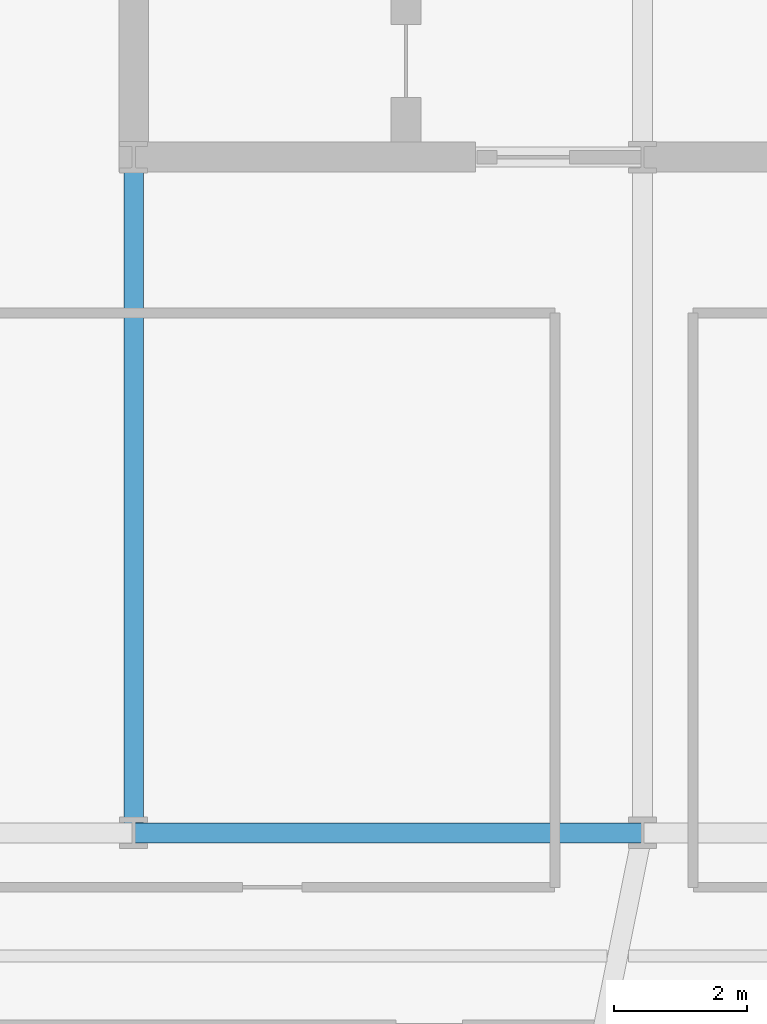
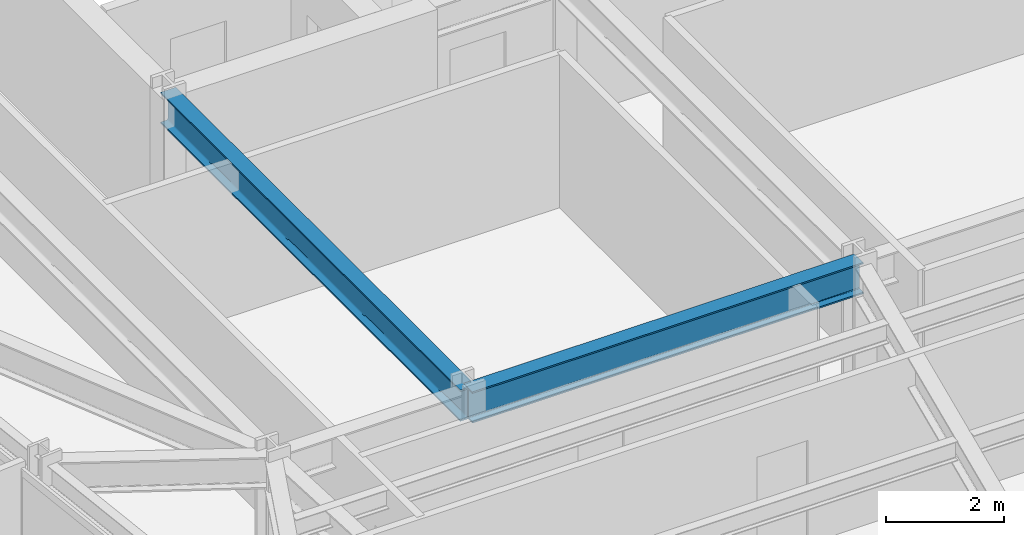
# One storey, part 7 of 32: 2 beams.
"""IFC4 building model written with IfcOpenShell, lengths in metres."""

from ifc_helpers import new_model, si_unit, direction, frame, origin, origin_2d, place, context, subcontext, project, spatial, i_section, extrude, material, material_profile, profile_set, type_object, element, save


model = new_model("IFC4")

# Units and contexts
model_context = context("Model", 3, precision=1e-05, world=origin(), true_north=direction((0.0, 1.0)))
body_context = subcontext(model_context, "Body", "Model", "MODEL_VIEW")
ifc_project = project(units=[si_unit("LENGTHUNIT", "METRE"), si_unit("AREAUNIT", "SQUARE_METRE"), si_unit("VOLUMEUNIT", "CUBIC_METRE"), si_unit("PLANEANGLEUNIT", "RADIAN"), si_unit("MASSUNIT", "GRAM", prefix="KILO")], contexts=[model_context])

# Site, building, storey
site_placement = place(None, origin())
site = spatial("IfcSite", under=ifc_project, at=site_placement, CompositionType="ELEMENT")
building_placement = place(site_placement, origin())
building = spatial("IfcBuilding", under=site, at=building_placement, Name="Yelkora Congress Tower", CompositionType="ELEMENT")
storey_placement = place(building_placement, frame((0.0, 0.0, 96.5)))
storey = spatial("IfcBuildingStorey", under=building, at=storey_placement, Name="L25", CompositionType="ELEMENT", Elevation=96.5)

# Beams
ifc_material = material(Name="Steel S355J2", Category="steel")
ifc_material_profile = material_profile(ifc_material, i_section(OverallWidth=0.300048828125, OverallDepth=0.64990234375, WebThickness=0.01611328125, FlangeThickness=0.031005859375, FilletRadius=0.027099609375, at=origin_2d()), Name="HEB 650")
ifc_profile_set = profile_set([ifc_material_profile], Name="Steel S355J2")
beam_type = type_object("IfcBeamType", Name="BM-GIRD-HEB650", PredefinedType="BEAM", material=ifc_profile_set)
beam_1_placement = place(storey_placement, frame((23.0400390625, 25.199951171875, 2.85498046875), z_axis=(1.0, 0.0, 0.0), x_axis=(0.0, 1.0, 0.0)))
element("IfcBeam", 1, at=beam_1_placement, inside=storey, type_object=beam_type, Name="L25 Spine Grid D Girder 2", PredefinedType="BEAM", context=body_context, shape_type="SweptSolid", body=[
    extrude(i_section(OverallWidth=0.300048828125, OverallDepth=0.64990234375, WebThickness=0.01611328125, FlangeThickness=0.031005859375, FilletRadius=0.027099609375, at=origin_2d()), origin(), (0.0, 0.0, 1.0), 7.679931640625),
])
beam_2_placement = place(storey_placement, frame((23.0400390625, 25.199951171875, 2.85498046875), z_axis=(0.0, 1.0, 0.0), x_axis=(-1.0, 0.0, 0.0)))
element("IfcBeam", 2, at=beam_2_placement, inside=storey, type_object=beam_type, Name="L25 Core Tie Girder MC-D1", PredefinedType="BEAM", context=body_context, shape_type="SweptSolid", body=[
    extrude(i_section(OverallWidth=0.300048828125, OverallDepth=0.64990234375, WebThickness=0.01611328125, FlangeThickness=0.031005859375, FilletRadius=0.027099609375, at=origin_2d()), origin(), (0.0, 0.0, 1.0), 10.199951171875),
])

save(model, "model.ifc")
